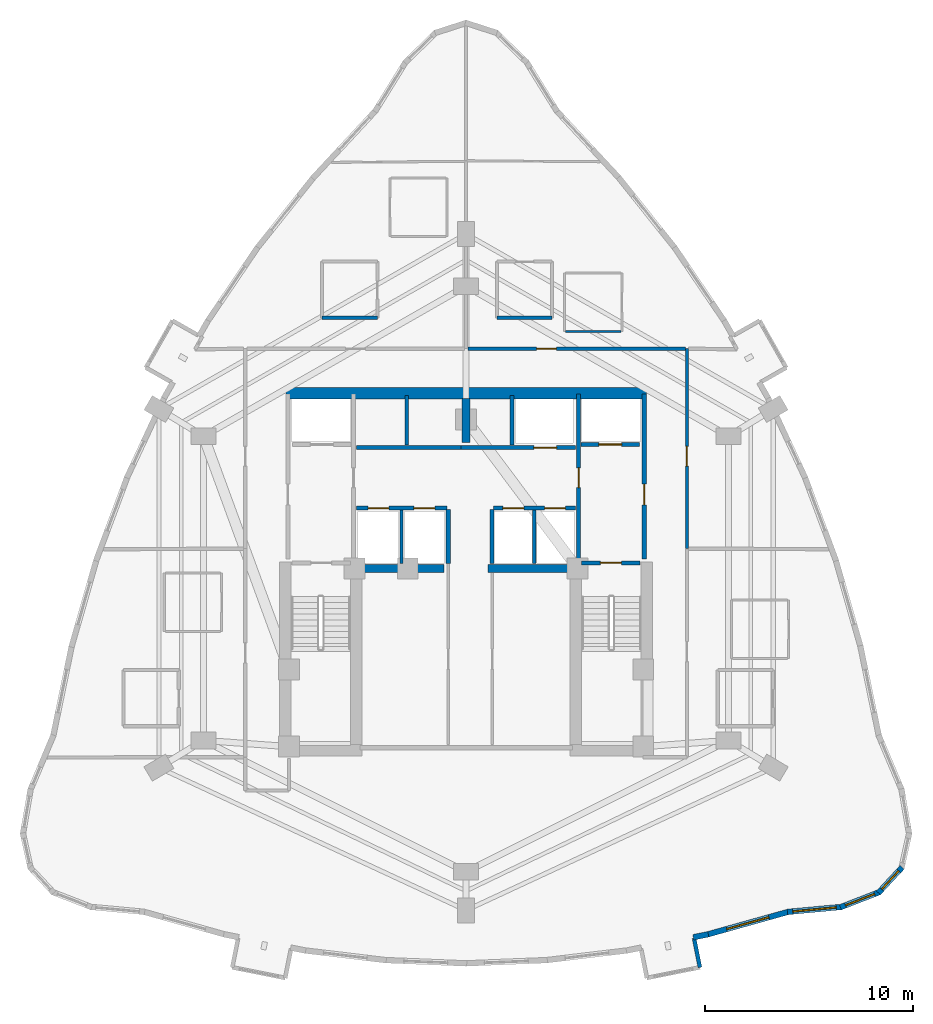
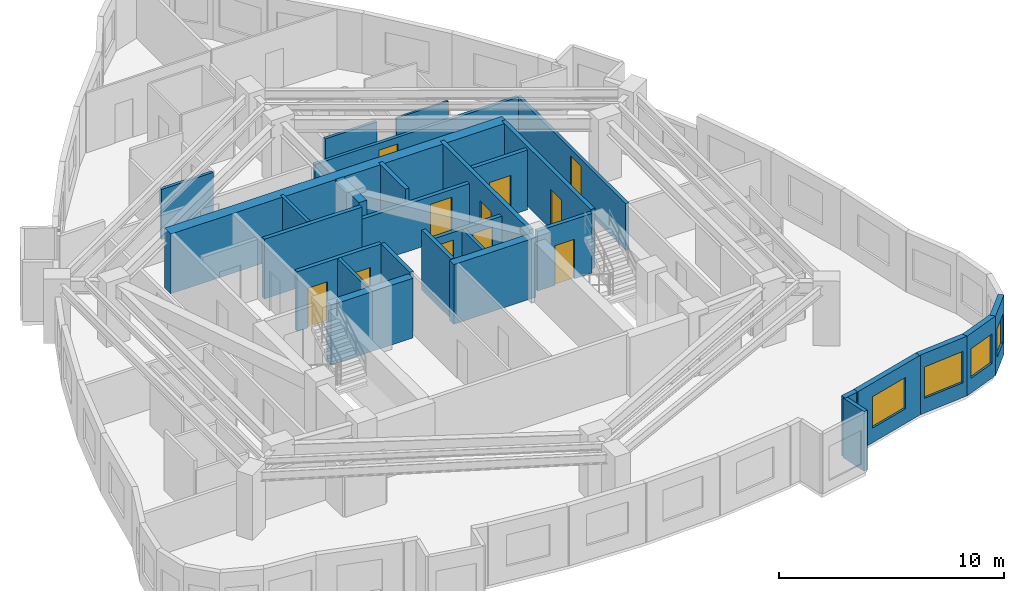
# One storey, part 7 of 10: 29 walls, 11 doors, 4 windows, 15 openings.
"""IFC4 building model written with IfcOpenShell, lengths in metres."""

from ifc_helpers import new_model, si_unit, direction, frame, frame_2d, origin, place, context, subcontext, project, spatial, rectangle, extrude, material, layer, layer_set, type_object, element, fill, save


model = new_model("IFC4")

# Units and contexts
model_context = context("Model", 3, precision=1e-05, world=origin(), true_north=direction((0.0, 1.0)))
body_context = subcontext(model_context, "Body", "Model", "MODEL_VIEW")
ifc_project = project(units=[si_unit("LENGTHUNIT", "METRE"), si_unit("AREAUNIT", "SQUARE_METRE"), si_unit("VOLUMEUNIT", "CUBIC_METRE"), si_unit("PLANEANGLEUNIT", "RADIAN"), si_unit("MASSUNIT", "GRAM", prefix="KILO")], contexts=[model_context])

# Site, building, storey
site_placement = place(None, origin())
site = spatial("IfcSite", under=ifc_project, at=site_placement, CompositionType="ELEMENT")
building_placement = place(site_placement, origin())
building = spatial("IfcBuilding", under=site, at=building_placement, Name="Miruveldt Soraemaru", CompositionType="ELEMENT")
storey_placement = place(building_placement, frame((0.0, 0.0, 163.39990234375)))
storey = spatial("IfcBuildingStorey", under=building, at=storey_placement, Name="L45", CompositionType="ELEMENT", Elevation=163.39990234375)

# Walls
ifc_material_1 = material(Name="White powder-coated aluminium EN AW-6060 T6", Category="aluminium")
ifc_layer_1 = layer(ifc_material_1, 0.18994140625, Name="White powder-coated aluminium EN AW-6060 T6", Category="aluminium")
ifc_layer_set_1 = layer_set([ifc_layer_1], Name="White powder-coated aluminium EN AW-6060 T6")
wall_type_1 = type_object("IfcWallType", Name="WALL-BAY-ALU190", PredefinedType="SOLIDWALL", material=ifc_layer_set_1)
wall_1_placement = place(storey_placement, frame((55.22412109375, 24.906005859375, 0.0), z_axis=(0.0, 0.0, 1.0), x_axis=(-0.196017281962, 0.980600441144, 0.0)))
element("IfcWall", 1, at=wall_1_placement, inside=storey, type_object=wall_type_1, Name="L45 Bay Window Side Cheek 3R", PredefinedType="SOLIDWALL", context=body_context, shape_type="SweptSolid", body=[
    extrude(rectangle(XDim=1.4248046875, YDim=0.18994140625, at=frame_2d((0.71240234375, 0.0))), origin(), (0.0, 0.0, 1.0), 3.235107421875),
])
ifc_material_2 = material(Name="Concrete C70/85 (70 MPa)", Category="concrete")
ifc_layer_2 = layer(ifc_material_2, 0.5, Name="Concrete C70/85 (70 MPa)", Category="concrete")
ifc_layer_set_2 = layer_set([ifc_layer_2], Name="Concrete C70/85 (70 MPa)")
wall_type_2 = type_object("IfcWallType", Name="WALL-BW-500", PredefinedType="SHEAR", material=ifc_layer_set_2)
wall_2_placement = place(storey_placement, frame((44.0, 50.10009765625, 0.0), z_axis=(0.0, 0.0, 1.0), x_axis=(0.0, 1.0, 0.0)))
element("IfcWall", 2, at=wall_2_placement, inside=storey, type_object=wall_type_2, Name="L45 Core Buttress Shear Wall BN", PredefinedType="SHEAR", context=body_context, shape_type="SweptSolid", body=[
    extrude(rectangle(XDim=2.099853515625, YDim=0.39990234375, at=frame_2d((1.0498046875, 0.0))), origin(), (0.0, 0.0, 1.0), 3.235107421875),
])
for number, where, z_axis, x_axis, name in (
    (3, (38.75, 44.050048828125, 0.0), (0.0, 0.0, 1.0), (1.0, 0.0, 0.0), "L45 Core Buttress Shear Wall BW"),
    (4, (45.050048828125, 44.050048828125, 0.0), (0.0, 0.0, 1.0), (1.0, 0.0, 0.0), "L45 Core Buttress Shear Wall BE"),
):
    element("IfcWall", number, at=place(storey_placement, frame(where, z_axis=z_axis, x_axis=x_axis)), inside=storey, type_object=wall_type_2, Name=name, PredefinedType="SHEAR", context=body_context, shape_type="SweptSolid", body=[
        extrude(rectangle(XDim=4.199951171875, YDim=0.39990234375, at=frame_2d((2.10009765625, 0.0))), origin(), (0.0, 0.0, 1.0), 3.235107421875),
    ])
ifc_layer_3 = layer(ifc_material_2, 0.550048828125, Name="Concrete C70/85 (70 MPa)", Category="concrete")
ifc_layer_set_3 = layer_set([ifc_layer_3], Name="Concrete C70/85 (70 MPa)")
wall_type_3 = type_object("IfcWallType", Name="WALL-CW-550", PredefinedType="SHEAR", material=ifc_layer_set_3)
wall_3_placement = place(storey_placement, frame((35.35009765625, 52.449951171875, 0.0), z_axis=(0.0, 0.0, 1.0), x_axis=(1.0, 0.0, 0.0)))
element("IfcWall", 5, at=wall_3_placement, inside=storey, type_object=wall_type_3, Name="L45 Central Core Shear Wall N", PredefinedType="SHEAR", context=body_context, shape_type="SweptSolid", body=[
    extrude(rectangle(XDim=17.2998046875, YDim=0.550048828125, at=frame_2d((8.64990234375, 0.0))), origin(), (0.0, 0.0, 1.0), 3.235107421875),
])
ifc_material_3 = material(Name="Precast concrete C45/55 (45 MPa)", Category="concrete")
ifc_layer_4 = layer(ifc_material_3, 0.27001953125, Name="Precast concrete C45/55 (45 MPa)", Category="concrete")
ifc_layer_set_4 = layer_set([ifc_layer_4], Name="Precast concrete C45/55 (45 MPa)")
wall_type_4 = type_object("IfcWallType", Name="WALL-EXT-PC270", PredefinedType="SOLIDWALL", material=ifc_layer_set_4)
wall_4_placement = place(storey_placement, frame((54.904541015625, 26.351318359375, 0.0), z_axis=(0.0, 0.0, 1.0), x_axis=(0.980555124768, 0.196243846508, 0.0)))
element("IfcWall", 6, at=wall_4_placement, inside=storey, type_object=wall_type_4, Name="L45 Precast Pier Wall 27B", PredefinedType="SOLIDWALL", context=body_context, shape_type="SweptSolid", body=[
    extrude(rectangle(XDim=0.7353515625, YDim=0.27001953125, at=frame_2d((0.36767578125, 0.0))), origin(), (0.0, 0.0, 1.0), 3.235107421875),
])

# Wall, opening, window
wall_5_placement = place(storey_placement, frame((55.557373046875, 26.479248046875, 0.0), z_axis=(0.0, 0.0, 1.0), x_axis=(0.962968367647, 0.269614396705, 0.0)))
wall_5 = element("IfcWall", 7, at=wall_5_placement, inside=storey, type_object=wall_type_4, Name="L45 Precast Concrete Facade Wall 28", PredefinedType="SOLIDWALL", context=body_context, shape_type="SweptSolid", body=[
    extrude(rectangle(XDim=4.08203125, YDim=0.27001953125, at=frame_2d((2.041015625, 0.0))), origin(), (0.0, 0.0, 1.0), 3.235107421875),
])
opening_1_placement = place(wall_5_placement, frame((0.990966796875, 0.0, 0.800048828125)))
opening_1 = element("IfcOpeningElement", 8, at=opening_1_placement, cuts=wall_5, Name="Opening WN-1", PredefinedType="OPENING", context=body_context, shape_type="SweptSolid", body=[
    extrude(rectangle(XDim=2.10009765625, YDim=1.699951171875, at=frame_2d((1.050048828125, 0.85009765625))), frame((0.0, 0.14501953125, 0.0), z_axis=(0.0, -1.0, 0.0), x_axis=(1.0, 0.0, 0.0)), (0.0, 0.0, 1.0), 0.2900390625),
])
ifc_material_4 = material(Name="Triple low-e insulated glazing", Category="glass")
window_type_1 = type_object("IfcWindowType", Name="WIN-PUNCH-2100x1700", PartitioningType="SINGLE_PANEL", PredefinedType="WINDOW", material=ifc_material_4)
window_1_placement = place(opening_1_placement, origin())
window_1 = element("IfcWindow", 9, at=window_1_placement, inside=storey, type_object=window_type_1, Name="L45 Punched Triple-Glazed Window 28.1", OverallHeight=1.699951171875, OverallWidth=2.10009765625, PartitioningType="SINGLE_PANEL", PredefinedType="WINDOW", context=body_context, shape_type="SweptSolid", body=[
    extrude(rectangle(XDim=2.10009765625, YDim=1.699951171875, at=frame_2d((1.050048828125, 0.85009765625))), frame((0.0, 0.030029296875, 0.0), z_axis=(0.0, -1.0, 0.0), x_axis=(1.0, 0.0, 0.0)), (0.0, 0.0, 1.0), 0.06005859375),
])
fill(opening_1, window_1)

wall_6_placement = place(storey_placement, frame((59.419921875, 27.5673828125, 0.0), z_axis=(0.0, 0.0, 1.0), x_axis=(0.995762483842, 0.091962360632, 0.0)))
wall_6 = element("IfcWall", 10, at=wall_6_placement, inside=storey, type_object=wall_type_4, Name="L45 Precast Concrete Facade Wall 29", PredefinedType="SOLIDWALL", context=body_context, shape_type="SweptSolid", body=[
    extrude(rectangle(XDim=2.623046875, YDim=0.27001953125, at=frame_2d((1.3115234375, 0.0))), origin(), (0.0, 0.0, 1.0), 3.235107421875),
])
opening_2_placement = place(wall_6_placement, frame((0.261962890625, 0.0, 0.800048828125)))
opening_2 = element("IfcOpeningElement", 11, at=opening_2_placement, cuts=wall_6, Name="Opening WN-1", PredefinedType="OPENING", context=body_context, shape_type="SweptSolid", body=[
    extrude(rectangle(XDim=2.10009765625, YDim=1.699951171875, at=frame_2d((1.050048828125, 0.85009765625))), frame((0.0, 0.14501953125, 0.0), z_axis=(0.0, -1.0, 0.0), x_axis=(1.0, 0.0, 0.0)), (0.0, 0.0, 1.0), 0.2900390625),
])
window_2_placement = place(opening_2_placement, origin())
window_2 = element("IfcWindow", 12, at=window_2_placement, inside=storey, type_object=window_type_1, Name="L45 Punched Triple-Glazed Window 29.1", OverallHeight=1.699951171875, OverallWidth=2.10009765625, PartitioningType="SINGLE_PANEL", PredefinedType="WINDOW", context=body_context, shape_type="SweptSolid", body=[
    extrude(rectangle(XDim=2.10009765625, YDim=1.699951171875, at=frame_2d((1.050048828125, 0.85009765625))), frame((0.0, 0.030029296875, 0.0), z_axis=(0.0, -1.0, 0.0), x_axis=(1.0, 0.0, 0.0)), (0.0, 0.0, 1.0), 0.06005859375),
])
fill(opening_2, window_2)

wall_7_placement = place(storey_placement, frame((61.96435546875, 27.79248046875, 0.0), z_axis=(0.0, 0.0, 1.0), x_axis=(0.932249719416, 0.361815506367, 0.0)))
wall_7 = element("IfcWall", 13, at=wall_7_placement, inside=storey, type_object=wall_type_4, Name="L45 Precast Concrete Facade Wall 30", PredefinedType="SOLIDWALL", context=body_context, shape_type="SweptSolid", body=[
    extrude(rectangle(XDim=2.017578125, YDim=0.27001953125, at=frame_2d((1.0087890625, 0.0))), origin(), (0.0, 0.0, 1.0), 3.235107421875),
])
opening_3_placement = place(wall_7_placement, frame((0.259033203125, 0.0, 0.800048828125)))
opening_3 = element("IfcOpeningElement", 14, at=opening_3_placement, cuts=wall_7, Name="Opening WN-3", PredefinedType="OPENING", context=body_context, shape_type="SweptSolid", body=[
    extrude(rectangle(XDim=1.5, YDim=1.60009765625, at=frame_2d((0.75, 0.800048828125))), frame((0.0, 0.14501953125, 0.0), z_axis=(0.0, -1.0, 0.0), x_axis=(1.0, 0.0, 0.0)), (0.0, 0.0, 1.0), 0.2900390625),
])
window_type_2 = type_object("IfcWindowType", Name="WIN-PUNCH-1500x1600", PartitioningType="SINGLE_PANEL", PredefinedType="WINDOW", material=ifc_material_4)
window_3_placement = place(opening_3_placement, origin())
window_3 = element("IfcWindow", 15, at=window_3_placement, inside=storey, type_object=window_type_2, Name="L45 Punched Triple-Glazed Window 30.1", OverallHeight=1.60009765625, OverallWidth=1.5, PartitioningType="SINGLE_PANEL", PredefinedType="WINDOW", context=body_context, shape_type="SweptSolid", body=[
    extrude(rectangle(XDim=1.5, YDim=1.60009765625, at=frame_2d((0.75, 0.800048828125))), frame((0.0, 0.030029296875, 0.0), z_axis=(0.0, -1.0, 0.0), x_axis=(1.0, 0.0, 0.0)), (0.0, 0.0, 1.0), 0.06005859375),
])
fill(opening_3, window_3)

wall_8_placement = place(storey_placement, frame((63.788818359375, 28.484130859375, 0.0), z_axis=(0.0, 0.0, 1.0), x_axis=(0.680182208432, 0.733043084227, 0.0)))
wall_8 = element("IfcWall", 16, at=wall_8_placement, inside=storey, type_object=wall_type_4, Name="L45 Precast Concrete Facade Wall 31", PredefinedType="SOLIDWALL", context=body_context, shape_type="SweptSolid", body=[
    extrude(rectangle(XDim=1.671875, YDim=0.27001953125, at=frame_2d((0.8359375, 0.0))), origin(), (0.0, 0.0, 1.0), 3.235107421875),
])
opening_4_placement = place(wall_8_placement, frame((0.236083984375, 0.0, 0.780029296875)))
opening_4 = element("IfcOpeningElement", 17, at=opening_4_placement, cuts=wall_8, Name="Opening WN-4", PredefinedType="OPENING", context=body_context, shape_type="SweptSolid", body=[
    extrude(rectangle(XDim=1.199951171875, YDim=1.550048828125, at=frame_2d((0.60009765625, 0.77490234375))), frame((0.0, 0.14501953125, 0.0), z_axis=(0.0, -1.0, 0.0), x_axis=(1.0, 0.0, 0.0)), (0.0, 0.0, 1.0), 0.2900390625),
])
window_type_3 = type_object("IfcWindowType", Name="WIN-PUNCH-1200x1550", PartitioningType="SINGLE_PANEL", PredefinedType="WINDOW", material=ifc_material_4)
window_4_placement = place(opening_4_placement, origin())
window_4 = element("IfcWindow", 18, at=window_4_placement, inside=storey, type_object=window_type_3, Name="L45 Punched Triple-Glazed Window 31.1", OverallHeight=1.550048828125, OverallWidth=1.199951171875, PartitioningType="SINGLE_PANEL", PredefinedType="WINDOW", context=body_context, shape_type="SweptSolid", body=[
    extrude(rectangle(XDim=1.199951171875, YDim=1.550048828125, at=frame_2d((0.60009765625, 0.77490234375))), frame((0.0, 0.030029296875, 0.0), z_axis=(0.0, -1.0, 0.0), x_axis=(1.0, 0.0, 0.0)), (0.0, 0.0, 1.0), 0.06005859375),
])
fill(opening_4, window_4)

# Walls
ifc_material_5 = material(Name="Gypsum plasterboard lining", Category="gypsum")
ifc_layer_5 = layer(ifc_material_5, 0.10009765625, Name="Gypsum plasterboard lining", Category="gypsum")
ifc_layer_set_5 = layer_set([ifc_layer_5], Name="Gypsum plasterboard lining")
wall_type_5 = type_object("IfcWallType", Name="WALL-INT-P100", PredefinedType="PARTITIONING", material=ifc_layer_set_5)
wall_9_placement = place(storey_placement, frame((48.780029296875, 55.429931640625, 0.0), z_axis=(0.0, 0.0, 1.0), x_axis=(1.0, 0.0, 0.0)))
element("IfcWall", 19, at=wall_9_placement, inside=storey, type_object=wall_type_5, Name="L45 Partition Wall 30", PredefinedType="PARTITIONING", context=body_context, shape_type="SweptSolid", body=[
    extrude(rectangle(XDim=2.64990234375, YDim=0.10009765625, at=frame_2d((1.324951171875, 0.0))), origin(), (0.0, 0.0, 1.0), 2.873046875),
])
ifc_layer_6 = layer(ifc_material_5, 0.14990234375, Name="Gypsum plasterboard lining", Category="gypsum")
ifc_layer_set_6 = layer_set([ifc_layer_6], Name="Gypsum plasterboard lining")
wall_type_6 = type_object("IfcWallType", Name="WALL-INT-PLUMB", PredefinedType="PLUMBINGWALL", material=ifc_layer_set_6)
wall_10_placement = place(storey_placement, frame((45.47998046875, 56.080078125, 0.0), z_axis=(0.0, 0.0, 1.0), x_axis=(1.0, 0.0, 0.0)))
element("IfcWall", 20, at=wall_10_placement, inside=storey, type_object=wall_type_6, Name="L45 Partition Wall 26", PredefinedType="PLUMBINGWALL", context=body_context, shape_type="SweptSolid", body=[
    extrude(rectangle(XDim=2.64990234375, YDim=0.14990234375, at=frame_2d((1.324951171875, 0.0))), origin(), (0.0, 0.0, 1.0), 2.523193359375),
])
wall_11_placement = place(storey_placement, frame((37.092041015625, 56.080078125, 0.0), z_axis=(0.0, 0.0, 1.0), x_axis=(1.0, 0.0, 0.0)))
element("IfcWall", 21, at=wall_11_placement, inside=storey, type_object=wall_type_6, Name="L45 Partition Wall 14", PredefinedType="PLUMBINGWALL", context=body_context, shape_type="SweptSolid", body=[
    extrude(rectangle(XDim=2.64990234375, YDim=0.14990234375, at=frame_2d((1.324951171875, 0.0))), origin(), (0.0, 0.0, 1.0), 2.72314453125),
])

# Wall, opening, door
ifc_material_6 = material(Name="Concrete C40/50 (40 MPa)", Category="concrete")
ifc_layer_7 = layer(ifc_material_6, 0.159912109375, Name="Concrete C40/50 (40 MPa)", Category="concrete")
ifc_layer_set_7 = layer_set([ifc_layer_7], Name="Concrete C40/50 (40 MPa)")
wall_type_7 = type_object("IfcWallType", Name="WALL-INT-RC160", PredefinedType="SOLIDWALL", material=ifc_layer_set_7)
wall_12_placement = place(storey_placement, frame((54.52001953125, 54.60009765625, 0.0), z_axis=(0.0, 0.0, 1.0), x_axis=(-1.0, 0.0, 0.0)))
wall_12 = element("IfcWall", 22, at=wall_12_placement, inside=storey, type_object=wall_type_7, Name="L45 Partition Wall 2", PredefinedType="SOLIDWALL", context=body_context, shape_type="SweptSolid", body=[
    extrude(rectangle(XDim=10.43701171875, YDim=0.159912109375, at=frame_2d((5.218505859375, 0.0))), origin(), (0.0, 0.0, 1.0), 2.523193359375),
])
opening_5_placement = place(wall_12_placement, frame((6.18408203125, 0.0, 0.0)))
opening_5 = element("IfcOpeningElement", 23, at=opening_5_placement, cuts=wall_12, Name="Opening FD2", PredefinedType="OPENING", context=body_context, shape_type="SweptSolid", body=[
    extrude(rectangle(XDim=0.949951171875, YDim=2.14990234375, at=frame_2d((0.47509765625, 1.074951171875))), frame((0.0, 0.08984375, 0.0), z_axis=(0.0, -1.0, 0.0), x_axis=(1.0, 0.0, 0.0)), (0.0, 0.0, 1.0), 0.179931640625),
])
ifc_material_7 = material(Name="Anodised aluminium EN AW-6063 T6", Category="aluminium")
door_type_1 = type_object("IfcDoorType", Name="DOOR-FD2-950", OperationType="NOTDEFINED", PredefinedType="DOOR", material=ifc_material_7)
door_1_placement = place(opening_5_placement, origin())
door_1 = element("IfcDoor", 24, at=door_1_placement, inside=storey, type_object=door_type_1, Name="L45 Unit 4502 Entrance Fire Door", OperationType="SINGLE_SWING_RIGHT", OverallHeight=2.14990234375, OverallWidth=0.949951171875, PredefinedType="DOOR", context=body_context, shape_type="SweptSolid", body=[
    extrude(rectangle(XDim=0.949951171875, YDim=2.14990234375, at=frame_2d((0.47509765625, 1.074951171875))), frame((0.0, 0.02490234375, 0.0), z_axis=(0.0, -1.0, 0.0), x_axis=(1.0, 0.0, 0.0)), (0.0, 0.0, 1.0), 0.050048828125),
])
fill(opening_5, door_1)

wall_13_placement = place(storey_placement, frame((54.60009765625, 45.0, 0.0), z_axis=(0.0, 0.0, 1.0), x_axis=(0.0, 1.0, 0.0)))
wall_13 = element("IfcWall", 25, at=wall_13_placement, inside=storey, type_object=wall_type_7, Name="L45 Partition Wall 5", PredefinedType="SOLIDWALL", context=body_context, shape_type="SweptSolid", body=[
    extrude(rectangle(XDim=9.60009765625, YDim=0.159912109375, at=frame_2d((4.800048828125, 0.0))), origin(), (0.0, 0.0, 1.0), 2.523193359375),
])
opening_6_placement = place(wall_13_placement, frame((3.965087890625, 0.0, 0.0)))
opening_6 = element("IfcOpeningElement", 26, at=opening_6_placement, cuts=wall_13, Name="Opening FD2", PredefinedType="OPENING", context=body_context, shape_type="SweptSolid", body=[
    extrude(rectangle(XDim=0.949951171875, YDim=2.14990234375, at=frame_2d((0.47509765625, 1.074951171875))), frame((0.0, 0.08984375, 0.0), z_axis=(0.0, -1.0, 0.0), x_axis=(1.0, 0.0, 0.0)), (0.0, 0.0, 1.0), 0.179931640625),
])
door_2_placement = place(opening_6_placement, origin())
door_2 = element("IfcDoor", 27, at=door_2_placement, inside=storey, type_object=door_type_1, Name="L45 Unit CL05 Entrance Fire Door", OperationType="SINGLE_SWING_RIGHT", OverallHeight=2.14990234375, OverallWidth=0.949951171875, PredefinedType="DOOR", context=body_context, shape_type="SweptSolid", body=[
    extrude(rectangle(XDim=0.949951171875, YDim=2.14990234375, at=frame_2d((0.47509765625, 1.074951171875))), frame((0.0, 0.02490234375, 0.0), z_axis=(0.0, -1.0, 0.0), x_axis=(1.0, 0.0, 0.0)), (0.0, 0.0, 1.0), 0.050048828125),
])
fill(opening_6, door_2)

# Walls
wall_14_placement = place(storey_placement, frame((40.89990234375, 44.300048828125, 0.0), z_axis=(0.0, 0.0, 1.0), x_axis=(0.0, 1.0, 0.0)))
element("IfcWall", 28, at=wall_14_placement, inside=storey, type_object=wall_type_7, Name="L45 Core Compartment Wall PLM-DW", PredefinedType="SOLIDWALL", context=body_context, shape_type="SweptSolid", body=[
    extrude(rectangle(XDim=2.550048828125, YDim=0.159912109375, at=frame_2d((1.27490234375, 0.0))), origin(), (0.0, 0.0, 1.0), 3.235107421875),
])
wall_15_placement = place(storey_placement, frame((47.280029296875, 44.300048828125, 0.0), z_axis=(0.0, 0.0, 1.0), x_axis=(0.0, 1.0, 0.0)))
element("IfcWall", 29, at=wall_15_placement, inside=storey, type_object=wall_type_7, Name="L45 Core Compartment Wall PLM-DE", PredefinedType="SOLIDWALL", context=body_context, shape_type="SweptSolid", body=[
    extrude(rectangle(XDim=2.550048828125, YDim=0.159912109375, at=frame_2d((1.27490234375, 0.0))), origin(), (0.0, 0.0, 1.0), 2.572998046875),
])
wall_16_placement = place(storey_placement, frame((41.14990234375, 49.97998046875, 0.0), z_axis=(0.0, 0.0, 1.0), x_axis=(0.0, 1.0, 0.0)))
element("IfcWall", 30, at=wall_16_placement, inside=storey, type_object=wall_type_7, Name="L45 Core Compartment Wall PLH-DIV1", PredefinedType="SOLIDWALL", context=body_context, shape_type="SweptSolid", body=[
    extrude(rectangle(XDim=2.3701171875, YDim=0.159912109375, at=frame_2d((1.18505859375, 0.0))), origin(), (0.0, 0.0, 1.0), 3.235107421875),
])

# Wall, opening, door
ifc_layer_8 = layer(ifc_material_6, 0.199951171875, Name="Concrete C40/50 (40 MPa)", Category="concrete")
ifc_layer_set_8 = layer_set([ifc_layer_8], Name="Concrete C40/50 (40 MPa)")
wall_type_8 = type_object("IfcWallType", Name="WALL-INT-RC200", PredefinedType="SOLIDWALL", material=ifc_layer_set_8)
wall_17_placement = place(storey_placement, frame((52.550048828125, 44.5, 0.0), z_axis=(0.0, 0.0, 1.0), x_axis=(0.0, 1.0, 0.0)))
wall_17 = element("IfcWall", 31, at=wall_17_placement, inside=storey, type_object=wall_type_8, Name="L45 Core Compartment Wall FFE-OUT", PredefinedType="SOLIDWALL", context=body_context, shape_type="SweptSolid", body=[
    extrude(rectangle(XDim=7.919921875, YDim=0.199951171875, at=frame_2d((3.9599609375, 0.0))), origin(), (0.0, 0.0, 1.0), 3.235107421875),
])
opening_7_placement = place(wall_17_placement, frame((2.60009765625, 0.0, 0.0)))
opening_7 = element("IfcOpeningElement", 32, at=opening_7_placement, cuts=wall_17, Name="Opening FD1", PredefinedType="OPENING", context=body_context, shape_type="SweptSolid", body=[
    extrude(rectangle(XDim=1.0, YDim=2.14990234375, at=frame_2d((0.5, 1.074951171875))), frame((0.0, 0.10986328125, 0.0), z_axis=(0.0, -1.0, 0.0), x_axis=(1.0, 0.0, 0.0)), (0.0, 0.0, 1.0), 0.219970703125),
])
door_type_2 = type_object("IfcDoorType", Name="DOOR-FD1-1000", OperationType="NOTDEFINED", PredefinedType="DOOR", material=ifc_material_7)
door_3_placement = place(opening_7_placement, frame((1.0, 0.0, 0.0), z_axis=(0.0, 0.0, 1.0), x_axis=(-1.0, 0.0, 0.0)))
door_3 = element("IfcDoor", 33, at=door_3_placement, inside=storey, type_object=door_type_2, Name="L45 East Firefighting Lobby Exit Door", OperationType="SINGLE_SWING_RIGHT", OverallHeight=2.14990234375, OverallWidth=1.0, PredefinedType="DOOR", context=body_context, shape_type="SweptSolid", body=[
    extrude(rectangle(XDim=1.0, YDim=2.14990234375, at=frame_2d((0.5, 1.074951171875))), frame((0.0, 0.02490234375, 0.0), z_axis=(0.0, -1.0, 0.0), x_axis=(1.0, 0.0, 0.0)), (0.0, 0.0, 1.0), 0.050048828125),
])
fill(opening_7, door_3)

wall_18_placement = place(storey_placement, frame((49.39990234375, 44.5, 0.0), z_axis=(0.0, 0.0, 1.0), x_axis=(0.0, 1.0, 0.0)))
wall_18 = element("IfcWall", 34, at=wall_18_placement, inside=storey, type_object=wall_type_8, Name="L45 Core Compartment Wall FFE-IN", PredefinedType="SOLIDWALL", context=body_context, shape_type="SweptSolid", body=[
    extrude(rectangle(XDim=7.919921875, YDim=0.199951171875, at=frame_2d((3.9599609375, 0.0))), origin(), (0.0, 0.0, 1.0), 3.235107421875),
])
opening_8_placement = place(wall_18_placement, frame((3.425048828125, 0.0, 0.0)))
opening_8 = element("IfcOpeningElement", 35, at=opening_8_placement, cuts=wall_18, Name="Opening FD2", PredefinedType="OPENING", context=body_context, shape_type="SweptSolid", body=[
    extrude(rectangle(XDim=0.949951171875, YDim=2.14990234375, at=frame_2d((0.47509765625, 1.074951171875))), frame((0.0, 0.10986328125, 0.0), z_axis=(0.0, -1.0, 0.0), x_axis=(1.0, 0.0, 0.0)), (0.0, 0.0, 1.0), 0.219970703125),
])
door_4_placement = place(opening_8_placement, origin())
door_4 = element("IfcDoor", 36, at=door_4_placement, inside=storey, type_object=door_type_1, Name="L45 Lift Lobby to East Fire Lobby Door", OperationType="SINGLE_SWING_LEFT", OverallHeight=2.14990234375, OverallWidth=0.949951171875, PredefinedType="DOOR", context=body_context, shape_type="SweptSolid", body=[
    extrude(rectangle(XDim=0.949951171875, YDim=2.14990234375, at=frame_2d((0.47509765625, 1.074951171875))), frame((0.0, 0.02490234375, 0.0), z_axis=(0.0, -1.0, 0.0), x_axis=(1.0, 0.0, 0.0)), (0.0, 0.0, 1.0), 0.050048828125),
])
fill(opening_8, door_4)

wall_19_placement = place(storey_placement, frame((43.75, 49.85009765625, 0.0), z_axis=(0.0, 0.0, 1.0), x_axis=(1.0, 0.0, 0.0)))
wall_19 = element("IfcWall", 37, at=wall_19_placement, inside=storey, type_object=wall_type_8, Name="L45 Core Compartment Wall ROWA-SE", PredefinedType="SOLIDWALL", context=body_context, shape_type="SweptSolid", body=[
    extrude(rectangle(XDim=5.5, YDim=0.199951171875, at=frame_2d((2.75, 0.0))), origin(), (0.0, 0.0, 1.0), 2.572998046875),
])
opening_9_placement = place(wall_19_placement, frame((3.5, 0.0, 0.0)))
opening_9 = element("IfcOpeningElement", 38, at=opening_9_placement, cuts=wall_19, Name="Opening LD2", PredefinedType="OPENING", context=body_context, shape_type="SweptSolid", body=[
    extrude(rectangle(XDim=1.10009765625, YDim=2.14990234375, at=frame_2d((0.550048828125, 1.074951171875))), frame((0.0, 0.10986328125, 0.0), z_axis=(0.0, -1.0, 0.0), x_axis=(1.0, 0.0, 0.0)), (0.0, 0.0, 1.0), 0.219970703125),
])
door_type_3 = type_object("IfcDoorType", Name="DOOR-LD2-1100", OperationType="SLIDING_TO_LEFT", PredefinedType="DOOR", material=ifc_material_7)
door_5_placement = place(opening_9_placement, origin())
door_5 = element("IfcDoor", 39, at=door_5_placement, inside=storey, type_object=door_type_3, Name="L45 SL-1 Landing Door", OperationType="SLIDING_TO_LEFT", OverallHeight=2.14990234375, OverallWidth=1.10009765625, PredefinedType="DOOR", context=body_context, shape_type="SweptSolid", body=[
    extrude(rectangle(XDim=1.10009765625, YDim=2.14990234375, at=frame_2d((0.550048828125, 1.074951171875))), frame((0.0, 0.02490234375, 0.0), z_axis=(0.0, -1.0, 0.0), x_axis=(1.0, 0.0, 0.0)), (0.0, 0.0, 1.0), 0.050048828125),
])
fill(opening_9, door_5)

# Wall, openings, doors
wall_20_placement = place(storey_placement, frame((38.75, 46.949951171875, 0.0), z_axis=(0.0, 0.0, 1.0), x_axis=(1.0, 0.0, 0.0)))
wall_20 = element("IfcWall", 40, at=wall_20_placement, inside=storey, type_object=wall_type_8, Name="L45 Core Compartment Wall MBW-N", PredefinedType="SOLIDWALL", context=body_context, shape_type="SweptSolid", body=[
    extrude(rectangle(XDim=4.330078125, YDim=0.199951171875, at=frame_2d((2.1650390625, 0.0))), origin(), (0.0, 0.0, 1.0), 3.235107421875),
])
opening_10_placement = place(wall_20_placement, frame((0.550048828125, 0.0, 0.0)))
opening_10 = element("IfcOpeningElement", 41, at=opening_10_placement, cuts=wall_20, Name="Opening LD1B", PredefinedType="OPENING", context=body_context, shape_type="SweptSolid", body=[
    extrude(rectangle(XDim=1.0, YDim=2.14990234375, at=frame_2d((0.5, 1.074951171875))), frame((0.0, 0.10986328125, 0.0), z_axis=(0.0, -1.0, 0.0), x_axis=(1.0, 0.0, 0.0)), (0.0, 0.0, 1.0), 0.219970703125),
])
opening_11_placement = place(wall_20_placement, frame((2.75, 0.0, 0.0)))
opening_11 = element("IfcOpeningElement", 42, at=opening_11_placement, cuts=wall_20, Name="Opening LD1B", PredefinedType="OPENING", context=body_context, shape_type="SweptSolid", body=[
    extrude(rectangle(XDim=1.0, YDim=2.14990234375, at=frame_2d((0.5, 1.074951171875))), frame((0.0, 0.10986328125, 0.0), z_axis=(0.0, -1.0, 0.0), x_axis=(1.0, 0.0, 0.0)), (0.0, 0.0, 1.0), 0.219970703125),
])
door_type_4 = type_object("IfcDoorType", Name="DOOR-LD1-1000", OperationType="SLIDING_TO_LEFT", PredefinedType="DOOR", material=ifc_material_7)
door_6_placement = place(opening_10_placement, origin())
door_6 = element("IfcDoor", 43, at=door_6_placement, inside=storey, type_object=door_type_4, Name="L45 PL-M1 Landing Door", OperationType="SLIDING_TO_LEFT", OverallHeight=2.14990234375, OverallWidth=1.0, PredefinedType="DOOR", context=body_context, shape_type="SweptSolid", body=[
    extrude(rectangle(XDim=1.0, YDim=2.14990234375, at=frame_2d((0.5, 1.074951171875))), frame((0.0, 0.02490234375, 0.0), z_axis=(0.0, -1.0, 0.0), x_axis=(1.0, 0.0, 0.0)), (0.0, 0.0, 1.0), 0.050048828125),
])
fill(opening_10, door_6)
door_7_placement = place(opening_11_placement, origin())
door_7 = element("IfcDoor", 44, at=door_7_placement, inside=storey, type_object=door_type_4, Name="L45 PL-M2 Landing Door", OperationType="SLIDING_TO_LEFT", OverallHeight=2.14990234375, OverallWidth=1.0, PredefinedType="DOOR", context=body_context, shape_type="SweptSolid", body=[
    extrude(rectangle(XDim=1.0, YDim=2.14990234375, at=frame_2d((0.5, 1.074951171875))), frame((0.0, 0.02490234375, 0.0), z_axis=(0.0, -1.0, 0.0), x_axis=(1.0, 0.0, 0.0)), (0.0, 0.0, 1.0), 0.050048828125),
])
fill(opening_11, door_7)

wall_21_placement = place(storey_placement, frame((45.320068359375, 46.949951171875, 0.0), z_axis=(0.0, 0.0, 1.0), x_axis=(1.0, 0.0, 0.0)))
wall_21 = element("IfcWall", 45, at=wall_21_placement, inside=storey, type_object=wall_type_8, Name="L45 Core Compartment Wall MBE-N", PredefinedType="SOLIDWALL", context=body_context, shape_type="SweptSolid", body=[
    extrude(rectangle(XDim=3.929931640625, YDim=0.199951171875, at=frame_2d((1.96484375, 0.0))), origin(), (0.0, 0.0, 1.0), 2.572998046875),
])
opening_12_placement = place(wall_21_placement, frame((0.449951171875, 0.0, 0.0)))
opening_12 = element("IfcOpeningElement", 46, at=opening_12_placement, cuts=wall_21, Name="Opening LD1B", PredefinedType="OPENING", context=body_context, shape_type="SweptSolid", body=[
    extrude(rectangle(XDim=1.0, YDim=2.14990234375, at=frame_2d((0.5, 1.074951171875))), frame((0.0, 0.10986328125, 0.0), z_axis=(0.0, -1.0, 0.0), x_axis=(1.0, 0.0, 0.0)), (0.0, 0.0, 1.0), 0.219970703125),
])
opening_13_placement = place(wall_21_placement, frame((2.449951171875, 0.0, 0.0)))
opening_13 = element("IfcOpeningElement", 47, at=opening_13_placement, cuts=wall_21, Name="Opening LD1B", PredefinedType="OPENING", context=body_context, shape_type="SweptSolid", body=[
    extrude(rectangle(XDim=1.0, YDim=2.14990234375, at=frame_2d((0.5, 1.074951171875))), frame((0.0, 0.10986328125, 0.0), z_axis=(0.0, -1.0, 0.0), x_axis=(1.0, 0.0, 0.0)), (0.0, 0.0, 1.0), 0.219970703125),
])
door_8_placement = place(opening_12_placement, origin())
door_8 = element("IfcDoor", 48, at=door_8_placement, inside=storey, type_object=door_type_4, Name="L45 PL-M3 Landing Door", OperationType="SLIDING_TO_LEFT", OverallHeight=2.14990234375, OverallWidth=1.0, PredefinedType="DOOR", context=body_context, shape_type="SweptSolid", body=[
    extrude(rectangle(XDim=1.0, YDim=2.14990234375, at=frame_2d((0.5, 1.074951171875))), frame((0.0, 0.02490234375, 0.0), z_axis=(0.0, -1.0, 0.0), x_axis=(1.0, 0.0, 0.0)), (0.0, 0.0, 1.0), 0.050048828125),
])
fill(opening_12, door_8)
door_9_placement = place(opening_13_placement, origin())
door_9 = element("IfcDoor", 49, at=door_9_placement, inside=storey, type_object=door_type_4, Name="L45 PL-M4 Landing Door", OperationType="SLIDING_TO_LEFT", OverallHeight=2.14990234375, OverallWidth=1.0, PredefinedType="DOOR", context=body_context, shape_type="SweptSolid", body=[
    extrude(rectangle(XDim=1.0, YDim=2.14990234375, at=frame_2d((0.5, 1.074951171875))), frame((0.0, 0.02490234375, 0.0), z_axis=(0.0, -1.0, 0.0), x_axis=(1.0, 0.0, 0.0)), (0.0, 0.0, 1.0), 0.050048828125),
])
fill(opening_13, door_9)

# Wall, opening, door
wall_22_placement = place(storey_placement, frame((49.550048828125, 44.320068359375, 0.0), z_axis=(0.0, 0.0, 1.0), x_axis=(1.0, 0.0, 0.0)))
wall_22 = element("IfcWall", 50, at=wall_22_placement, inside=storey, type_object=wall_type_8, Name="L45 Core Compartment Wall ST2-N", PredefinedType="SOLIDWALL", context=body_context, shape_type="SweptSolid", body=[
    extrude(rectangle(XDim=2.800048828125, YDim=0.199951171875, at=frame_2d((1.39990234375, 0.0))), origin(), (0.0, 0.0, 1.0), 3.235107421875),
])
opening_14_placement = place(wall_22_placement, frame((0.89990234375, 0.0, 0.0)))
opening_14 = element("IfcOpeningElement", 51, at=opening_14_placement, cuts=wall_22, Name="Opening FD1", PredefinedType="OPENING", context=body_context, shape_type="SweptSolid", body=[
    extrude(rectangle(XDim=1.0, YDim=2.14990234375, at=frame_2d((0.5, 1.074951171875))), frame((0.0, 0.10986328125, 0.0), z_axis=(0.0, -1.0, 0.0), x_axis=(1.0, 0.0, 0.0)), (0.0, 0.0, 1.0), 0.219970703125),
])
door_10_placement = place(opening_14_placement, frame((1.0, 0.0, 0.0), z_axis=(0.0, 0.0, 1.0), x_axis=(-1.0, 0.0, 0.0)))
door_10 = element("IfcDoor", 52, at=door_10_placement, inside=storey, type_object=door_type_2, Name="L45 Stair ST-2 Fire Door", OperationType="SINGLE_SWING_RIGHT", OverallHeight=2.14990234375, OverallWidth=1.0, PredefinedType="DOOR", context=body_context, shape_type="SweptSolid", body=[
    extrude(rectangle(XDim=1.0, YDim=2.14990234375, at=frame_2d((0.5, 1.074951171875))), frame((0.0, 0.02490234375, 0.0), z_axis=(0.0, -1.0, 0.0), x_axis=(1.0, 0.0, 0.0)), (0.0, 0.0, 1.0), 0.050048828125),
])
fill(opening_14, door_10)

wall_23_placement = place(storey_placement, frame((49.52001953125, 50.0, 0.0), z_axis=(0.0, 0.0, 1.0), x_axis=(1.0, 0.0, 0.0)))
wall_23 = element("IfcWall", 53, at=wall_23_placement, inside=storey, type_object=wall_type_8, Name="L45 Core Compartment Wall FFL2-S", PredefinedType="SOLIDWALL", context=body_context, shape_type="SweptSolid", body=[
    extrude(rectangle(XDim=2.800048828125, YDim=0.199951171875, at=frame_2d((1.39990234375, 0.0))), origin(), (0.0, 0.0, 1.0), 3.235107421875),
])
opening_15_placement = place(wall_23_placement, frame((0.85009765625, 0.0, 0.0)))
opening_15 = element("IfcOpeningElement", 54, at=opening_15_placement, cuts=wall_23, Name="Opening LD2", PredefinedType="OPENING", context=body_context, shape_type="SweptSolid", body=[
    extrude(rectangle(XDim=1.10009765625, YDim=2.14990234375, at=frame_2d((0.550048828125, 1.074951171875))), frame((0.0, 0.10986328125, 0.0), z_axis=(0.0, -1.0, 0.0), x_axis=(1.0, 0.0, 0.0)), (0.0, 0.0, 1.0), 0.219970703125),
])
door_11_placement = place(opening_15_placement, origin())
door_11 = element("IfcDoor", 55, at=door_11_placement, inside=storey, type_object=door_type_3, Name="L45 FFL-2 Landing Door", OperationType="SLIDING_TO_LEFT", OverallHeight=2.14990234375, OverallWidth=1.10009765625, PredefinedType="DOOR", context=body_context, shape_type="SweptSolid", body=[
    extrude(rectangle(XDim=1.10009765625, YDim=2.14990234375, at=frame_2d((0.550048828125, 1.074951171875))), frame((0.0, 0.02490234375, 0.0), z_axis=(0.0, -1.0, 0.0), x_axis=(1.0, 0.0, 0.0)), (0.0, 0.0, 1.0), 0.050048828125),
])
fill(opening_15, door_11)

# Walls
wall_24_placement = place(storey_placement, frame((38.75, 49.85009765625, 0.0), z_axis=(0.0, 0.0, 1.0), x_axis=(1.0, 0.0, 0.0)))
element("IfcWall", 56, at=wall_24_placement, inside=storey, type_object=wall_type_8, Name="L45 Core Compartment Wall ROWA-SW", PredefinedType="SOLIDWALL", context=body_context, shape_type="SweptSolid", body=[
    extrude(rectangle(XDim=5.0, YDim=0.199951171875, at=frame_2d((2.5, 0.0))), origin(), (0.0, 0.0, 1.0), 3.235107421875),
])
for number, where, z_axis, x_axis, name in (
    (57, (43.14990234375, 44.300048828125, 0.0), (0.0, 0.0, 1.0), (0.0, 1.0, 0.0), "L45 Core Compartment Wall SP-WB"),
    (58, (45.25, 44.300048828125, 0.0), (0.0, 0.0, 1.0), (0.0, 1.0, 0.0), "L45 Core Compartment Wall SP-EB"),
):
    element("IfcWall", number, at=place(storey_placement, frame(where, z_axis=z_axis, x_axis=x_axis)), inside=storey, type_object=wall_type_8, Name=name, PredefinedType="SOLIDWALL", context=body_context, shape_type="SweptSolid", body=[
        extrude(rectangle(XDim=2.579833984375, YDim=0.199951171875, at=frame_2d((1.2900390625, 0.0))), origin(), (0.0, 0.0, 1.0), 3.235107421875),
    ])
wall_25_placement = place(storey_placement, frame((46.199951171875, 49.97998046875, 0.0), z_axis=(0.0, 0.0, 1.0), x_axis=(0.0, 1.0, 0.0)))
element("IfcWall", 59, at=wall_25_placement, inside=storey, type_object=wall_type_8, Name="L45 Core Compartment Wall PLH-SL-DIV", PredefinedType="SOLIDWALL", context=body_context, shape_type="SweptSolid", body=[
    extrude(rectangle(XDim=2.3701171875, YDim=0.199951171875, at=frame_2d((1.18505859375, 0.0))), origin(), (0.0, 0.0, 1.0), 3.235107421875),
])

save(model, "model.ifc")
